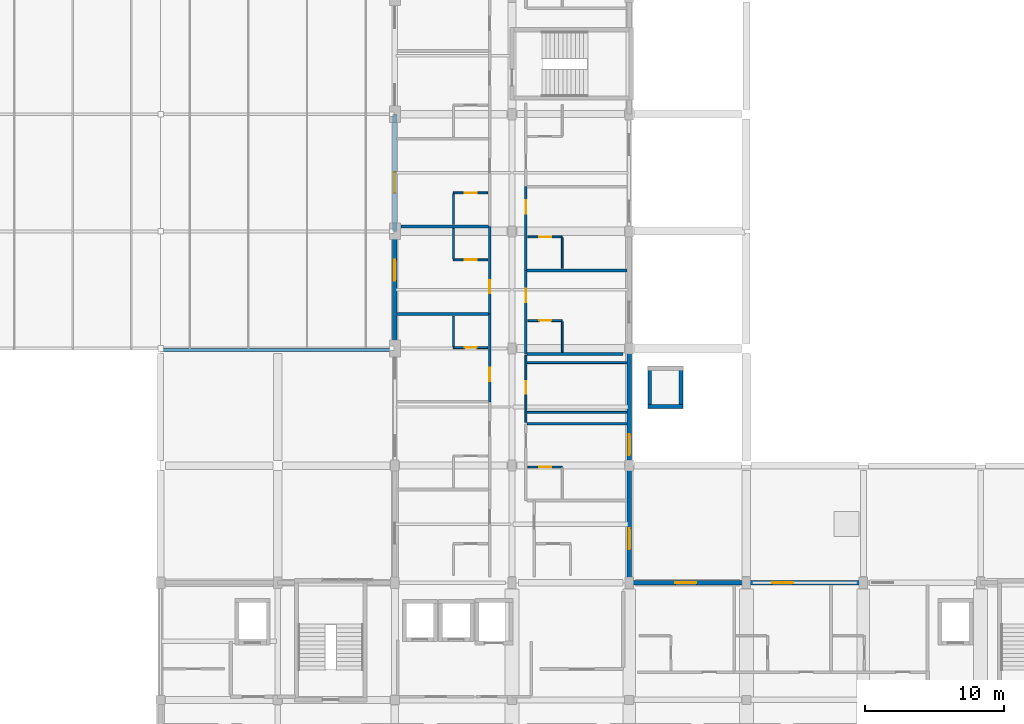
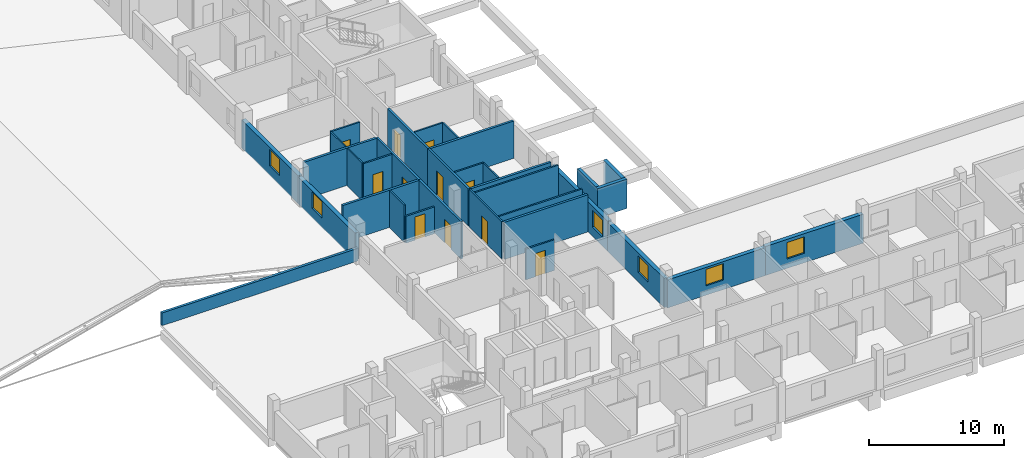
# One storey, part 30 of 42: 33 walls, 11 doors, 6 windows, 17 openings.
"""IFC4 building model written with IfcOpenShell, lengths in metres."""

from ifc_helpers import new_model, si_unit, derived_unit, direction, frame, frame_2d, origin, place, context, subcontext, project, spatial, rectangle, extrude, material, layer, layer_set, type_object, element, fill, save


model = new_model("IFC4")

# Units and contexts
model_context = context("Model", 3, precision=1e-05, world=origin(), true_north=direction((0.0, 1.0)))
body_context = subcontext(model_context, "Body", "Model", "MODEL_VIEW")
ifc_project = project(units=[si_unit("LENGTHUNIT", "METRE"), si_unit("AREAUNIT", "SQUARE_METRE"), si_unit("VOLUMEUNIT", "CUBIC_METRE"), si_unit("PLANEANGLEUNIT", "RADIAN"), si_unit("MASSUNIT", "GRAM", prefix="KILO"), derived_unit("THERMALTRANSMITTANCEUNIT", [(si_unit("POWERUNIT", "WATT"), 1), (si_unit("LENGTHUNIT", "METRE"), -2), (si_unit("THERMODYNAMICTEMPERATUREUNIT", "KELVIN"), -1)])], contexts=[model_context])

# Site, building, storey
site_placement = place(None, origin())
site = spatial("IfcSite", under=ifc_project, at=site_placement, CompositionType="ELEMENT")
building_placement = place(site_placement, origin())
building = spatial("IfcBuilding", under=site, at=building_placement, Name="Barrovel Congress Hotel", CompositionType="ELEMENT")
storey_placement = place(building_placement, frame((0.0, 0.0, 18.300048828125)))
storey = spatial("IfcBuildingStorey", under=building, at=storey_placement, Name="L04", CompositionType="ELEMENT", Elevation=18.300048828125)

# Wall, opening, window
ifc_material_1 = material(Name="Fired Clay Brick Masonry", Category="masonry")
ifc_layer_1 = layer(ifc_material_1, 0.340087890625)
ifc_layer_set_1 = layer_set([ifc_layer_1], Name="Fired Clay Brick Masonry")
wall_type_1 = type_object("IfcWallType", Name="EW-BRK340", PredefinedType="STANDARD", material=ifc_layer_set_1)
wall_1_placement = place(storey_placement, frame((67.199951171875, 21.0, 0.0), z_axis=(0.0, 0.0, 1.0), x_axis=(-1.0, 0.0, 0.0)))
wall_1 = element("IfcWall", 1, at=wall_1_placement, inside=storey, type_object=wall_type_1, Name="EW:L04:HS-NE-4:P03", PredefinedType="STANDARD", context=body_context, shape_type="SweptSolid", body=[
    extrude(rectangle(XDim=8.39990234375, YDim=0.340087890625, at=frame_2d((4.199951171875, 0.0))), origin(), (0.0, 0.0, 1.0), 2.6298828125),
])
opening_1_placement = place(wall_1_placement, frame((5.050048828125, 0.0, 0.85009765625)))
opening_1 = element("IfcOpeningElement", 2, at=opening_1_placement, cuts=wall_1, Name="Opening WN-07", PredefinedType="OPENING", context=body_context, shape_type="SweptSolid", body=[
    extrude(rectangle(XDim=1.5, YDim=1.5, at=frame_2d((0.75, 0.75))), frame((0.0, 0.18017578125, 0.0), z_axis=(0.0, -1.0, 0.0), x_axis=(1.0, 0.0, 0.0)), (0.0, 0.0, 1.0), 0.360107421875),
])
ifc_material_2 = material(Name="Double Low-E Insulated Glazing", Category="glass")
window_type = type_object("IfcWindowType", Name="WIN-WN-07", PartitioningType="SINGLE_PANEL", PredefinedType="WINDOW", material=ifc_material_2)
window_1_placement = place(opening_1_placement, origin())
window_1 = element("IfcWindow", 3, at=window_1_placement, inside=storey, type_object=window_type, Name="WIN:L04:U22", OverallHeight=1.5, OverallWidth=1.5, PartitioningType="SINGLE_PANEL", PredefinedType="WINDOW", context=body_context, shape_type="SweptSolid", body=[
    extrude(rectangle(XDim=1.5, YDim=1.5, at=frame_2d((0.75, 0.75))), frame((0.0, 0.030029296875, 0.0), z_axis=(0.0, -1.0, 0.0), x_axis=(1.0, 0.0, 0.0)), (0.0, 0.0, 1.0), 0.06005859375),
])
fill(opening_1, window_1)

wall_2_placement = place(storey_placement, frame((58.800048828125, 21.0, 0.0), z_axis=(0.0, 0.0, 1.0), x_axis=(-1.0, 0.0, 0.0)))
wall_2 = element("IfcWall", 4, at=wall_2_placement, inside=storey, type_object=wall_type_1, Name="EW:L04:HS-NE-4:P04", PredefinedType="STANDARD", context=body_context, shape_type="SweptSolid", body=[
    extrude(rectangle(XDim=8.400146484375, YDim=0.340087890625, at=frame_2d((4.2001953125, 0.0))), origin(), (0.0, 0.0, 1.0), 2.530029296875),
])
opening_2_placement = place(wall_2_placement, frame((3.583251953125, 0.0, 0.85009765625)))
opening_2 = element("IfcOpeningElement", 5, at=opening_2_placement, cuts=wall_2, Name="Opening WN-07", PredefinedType="OPENING", context=body_context, shape_type="SweptSolid", body=[
    extrude(rectangle(XDim=1.5, YDim=1.5, at=frame_2d((0.75, 0.75))), frame((0.0, 0.18017578125, 0.0), z_axis=(0.0, -1.0, 0.0), x_axis=(1.0, 0.0, 0.0)), (0.0, 0.0, 1.0), 0.360107421875),
])
window_2_placement = place(opening_2_placement, origin())
window_2 = element("IfcWindow", 6, at=window_2_placement, inside=storey, type_object=window_type, Name="WIN:L04:U21", OverallHeight=1.5, OverallWidth=1.5, PartitioningType="SINGLE_PANEL", PredefinedType="WINDOW", context=body_context, shape_type="SweptSolid", body=[
    extrude(rectangle(XDim=1.5, YDim=1.5, at=frame_2d((0.75, 0.75))), frame((0.0, 0.030029296875, 0.0), z_axis=(0.0, -1.0, 0.0), x_axis=(1.0, 0.0, 0.0)), (0.0, 0.0, 1.0), 0.06005859375),
])
fill(opening_2, window_2)

wall_3_placement = place(storey_placement, frame((50.39990234375, 21.0, 0.0), z_axis=(0.0, 0.0, 1.0), x_axis=(0.0, 1.0, 0.0)))
wall_3 = element("IfcWall", 7, at=wall_3_placement, inside=storey, type_object=wall_type_1, Name="EW:L04:HW-E-1:P01", PredefinedType="STANDARD", context=body_context, shape_type="SweptSolid", body=[
    extrude(rectangle(XDim=8.39990234375, YDim=0.340087890625, at=frame_2d((4.199951171875, 0.0))), origin(), (0.0, 0.0, 1.0), 2.6298828125),
])
opening_3_placement = place(wall_3_placement, frame((2.39990234375, 0.0, 0.85009765625)))
opening_3 = element("IfcOpeningElement", 8, at=opening_3_placement, cuts=wall_3, Name="Opening WN-07", PredefinedType="OPENING", context=body_context, shape_type="SweptSolid", body=[
    extrude(rectangle(XDim=1.5, YDim=1.5, at=frame_2d((0.75, 0.75))), frame((0.0, 0.18017578125, 0.0), z_axis=(0.0, -1.0, 0.0), x_axis=(1.0, 0.0, 0.0)), (0.0, 0.0, 1.0), 0.360107421875),
])
window_3_placement = place(opening_3_placement, origin())
window_3 = element("IfcWindow", 9, at=window_3_placement, inside=storey, type_object=window_type, Name="WIN:L04:U42", OverallHeight=1.5, OverallWidth=1.5, PartitioningType="SINGLE_PANEL", PredefinedType="WINDOW", context=body_context, shape_type="SweptSolid", body=[
    extrude(rectangle(XDim=1.5, YDim=1.5, at=frame_2d((0.75, 0.75))), frame((0.0, 0.030029296875, 0.0), z_axis=(0.0, -1.0, 0.0), x_axis=(1.0, 0.0, 0.0)), (0.0, 0.0, 1.0), 0.06005859375),
])
fill(opening_3, window_3)

wall_4_placement = place(storey_placement, frame((50.39990234375, 29.39990234375, 0.0), z_axis=(0.0, 0.0, 1.0), x_axis=(0.0, 1.0, 0.0)))
wall_4 = element("IfcWall", 10, at=wall_4_placement, inside=storey, type_object=wall_type_1, Name="EW:L04:HW-E-1:P02", PredefinedType="STANDARD", context=body_context, shape_type="SweptSolid", body=[
    extrude(rectangle(XDim=8.400146484375, YDim=0.340087890625, at=frame_2d((4.2001953125, 0.0))), origin(), (0.0, 0.0, 1.0), 2.72998046875),
])
opening_4_placement = place(wall_4_placement, frame((0.75, 0.0, 0.85009765625)))
opening_4 = element("IfcOpeningElement", 11, at=opening_4_placement, cuts=wall_4, Name="Opening WN-07", PredefinedType="OPENING", context=body_context, shape_type="SweptSolid", body=[
    extrude(rectangle(XDim=1.5, YDim=1.5, at=frame_2d((0.75, 0.75))), frame((0.0, 0.18017578125, 0.0), z_axis=(0.0, -1.0, 0.0), x_axis=(1.0, 0.0, 0.0)), (0.0, 0.0, 1.0), 0.360107421875),
])
window_4_placement = place(opening_4_placement, origin())
window_4 = element("IfcWindow", 12, at=window_4_placement, inside=storey, type_object=window_type, Name="WIN:L04:U43", OverallHeight=1.5, OverallWidth=1.5, PartitioningType="SINGLE_PANEL", PredefinedType="WINDOW", context=body_context, shape_type="SweptSolid", body=[
    extrude(rectangle(XDim=1.5, YDim=1.5, at=frame_2d((0.75, 0.75))), frame((0.0, 0.030029296875, 0.0), z_axis=(0.0, -1.0, 0.0), x_axis=(1.0, 0.0, 0.0)), (0.0, 0.0, 1.0), 0.06005859375),
])
fill(opening_4, window_4)

wall_5_placement = place(storey_placement, frame((33.60009765625, 54.60009765625, 0.0), z_axis=(0.0, 0.0, 1.0), x_axis=(0.0, -1.0, 0.0)))
wall_5 = element("IfcWall", 13, at=wall_5_placement, inside=storey, type_object=wall_type_1, Name="EW:L04:HW-W:P03", PredefinedType="STANDARD", context=body_context, shape_type="SweptSolid", body=[
    extrude(rectangle(XDim=8.400146484375, YDim=0.340087890625, at=frame_2d((4.2001953125, 0.0))), origin(), (0.0, 0.0, 1.0), 2.530029296875),
])
opening_5_placement = place(wall_5_placement, frame((4.14990234375, 0.0, 0.85009765625)))
opening_5 = element("IfcOpeningElement", 14, at=opening_5_placement, cuts=wall_5, Name="Opening WN-07", PredefinedType="OPENING", context=body_context, shape_type="SweptSolid", body=[
    extrude(rectangle(XDim=1.5, YDim=1.5, at=frame_2d((0.75, 0.75))), frame((0.0, 0.18017578125, 0.0), z_axis=(0.0, -1.0, 0.0), x_axis=(1.0, 0.0, 0.0)), (0.0, 0.0, 1.0), 0.360107421875),
])
window_5_placement = place(opening_5_placement, origin())
window_5 = element("IfcWindow", 15, at=window_5_placement, inside=storey, type_object=window_type, Name="WIN:L04:U37", OverallHeight=1.5, OverallWidth=1.5, PartitioningType="SINGLE_PANEL", PredefinedType="WINDOW", context=body_context, shape_type="SweptSolid", body=[
    extrude(rectangle(XDim=1.5, YDim=1.5, at=frame_2d((0.75, 0.75))), frame((0.0, 0.030029296875, 0.0), z_axis=(0.0, -1.0, 0.0), x_axis=(1.0, 0.0, 0.0)), (0.0, 0.0, 1.0), 0.06005859375),
])
fill(opening_5, window_5)

wall_6_placement = place(storey_placement, frame((33.60009765625, 46.199951171875, 0.0), z_axis=(0.0, 0.0, 1.0), x_axis=(0.0, -1.0, 0.0)))
wall_6 = element("IfcWall", 16, at=wall_6_placement, inside=storey, type_object=wall_type_1, Name="EW:L04:HW-W:P04", PredefinedType="STANDARD", context=body_context, shape_type="SweptSolid", body=[
    extrude(rectangle(XDim=8.39990234375, YDim=0.340087890625, at=frame_2d((4.199951171875, 0.0))), origin(), (0.0, 0.0, 1.0), 2.429931640625),
])
opening_6_placement = place(wall_6_placement, frame((2.038818359375, 0.0, 0.85009765625)))
opening_6 = element("IfcOpeningElement", 17, at=opening_6_placement, cuts=wall_6, Name="Opening WN-07", PredefinedType="OPENING", context=body_context, shape_type="SweptSolid", body=[
    extrude(rectangle(XDim=1.5, YDim=1.5, at=frame_2d((0.75, 0.75))), frame((0.0, 0.18017578125, 0.0), z_axis=(0.0, -1.0, 0.0), x_axis=(1.0, 0.0, 0.0)), (0.0, 0.0, 1.0), 0.360107421875),
])
window_6_placement = place(opening_6_placement, origin())
window_6 = element("IfcWindow", 18, at=window_6_placement, inside=storey, type_object=window_type, Name="WIN:L04:U36", OverallHeight=1.5, OverallWidth=1.5, PartitioningType="SINGLE_PANEL", PredefinedType="WINDOW", context=body_context, shape_type="SweptSolid", body=[
    extrude(rectangle(XDim=1.5, YDim=1.5, at=frame_2d((0.75, 0.75))), frame((0.0, 0.030029296875, 0.0), z_axis=(0.0, -1.0, 0.0), x_axis=(1.0, 0.0, 0.0)), (0.0, 0.0, 1.0), 0.06005859375),
])
fill(opening_6, window_6)

# Wall
ifc_layer_2 = layer(ifc_material_1, 0.219970703125)
ifc_layer_set_2 = layer_set([ifc_layer_2], Name="Fired Clay Brick Masonry")
wall_type_2 = type_object("IfcWallType", Name="EW-PAR220", PredefinedType="PARAPET", material=ifc_layer_set_2)
wall_7_placement = place(storey_placement, frame((16.800048828125, 37.699951171875, 0.0), z_axis=(0.0, 0.0, 1.0), x_axis=(1.0, 0.0, 0.0)))
element("IfcWall", 19, at=wall_7_placement, inside=storey, type_object=wall_type_2, Name="PAR:L04:05", PredefinedType="PARAPET", context=body_context, shape_type="SweptSolid", body=[
    extrude(rectangle(XDim=16.800048828125, YDim=0.219970703125, at=frame_2d((8.39990234375, 0.0))), origin(), (0.0, 0.0, 1.0), 1.14990234375),
])

# Wall, opening, door
ifc_material_3 = material(Name="Gypsum Acoustic Stud", Category="gypsum")
ifc_layer_3 = layer(ifc_material_3, 0.179931640625)
ifc_layer_set_3 = layer_set([ifc_layer_3], Name="Gypsum Acoustic Stud")
wall_type_3 = type_object("IfcWallType", Name="PW-ACU-180", PredefinedType="PARTITIONING", material=ifc_layer_set_3)
wall_8_placement = place(storey_placement, frame((40.39990234375, 33.977783203125, 0.0), z_axis=(0.0, 0.0, 1.0), x_axis=(0.0, 1.0, 0.0)))
wall_8 = element("IfcWall", 20, at=wall_8_placement, inside=storey, type_object=wall_type_3, Name="PW:L04:U35:COR", PredefinedType="PARTITIONING", context=body_context, shape_type="SweptSolid", body=[
    extrude(rectangle(XDim=6.288818359375, YDim=0.179931640625, at=frame_2d((3.14453125, 0.0))), origin(), (0.0, 0.0, 1.0), 3.375),
])
opening_7_placement = place(wall_8_placement, frame((1.4794921875, 0.0, 0.0)))
opening_7 = element("IfcOpeningElement", 21, at=opening_7_placement, cuts=wall_8, Name="Opening ID-HTL", PredefinedType="OPENING", context=body_context, shape_type="SweptSolid", body=[
    extrude(rectangle(XDim=0.9599609375, YDim=2.14990234375, at=frame_2d((0.47998046875, 1.074951171875))), frame((0.0, 0.10009765625, 0.0), z_axis=(0.0, -1.0, 0.0), x_axis=(1.0, 0.0, 0.0)), (0.0, 0.0, 1.0), 0.199951171875),
])
ifc_material_4 = material(Name="Solid Oak Acoustic Timber Door", Category="wood")
door_type_1 = type_object("IfcDoorType", Name="IDR-ID-HTL", OperationType="NOTDEFINED", PredefinedType="DOOR", material=ifc_material_4)
door_1_placement = place(opening_7_placement, origin())
door_1 = element("IfcDoor", 22, at=door_1_placement, inside=storey, type_object=door_type_1, Name="DR:L04:U35:ENT", OperationType="SINGLE_SWING_RIGHT", OverallHeight=2.14990234375, OverallWidth=0.9599609375, PredefinedType="DOOR", context=body_context, shape_type="SweptSolid", body=[
    extrude(rectangle(XDim=0.9599609375, YDim=2.14990234375, at=frame_2d((0.47998046875, 1.074951171875))), frame((0.0, 0.02490234375, 0.0), z_axis=(0.0, -1.0, 0.0), x_axis=(1.0, 0.0, 0.0)), (0.0, 0.0, 1.0), 0.050048828125),
])
fill(opening_7, door_1)

wall_9_placement = place(storey_placement, frame((40.39990234375, 40.2666015625, 0.0), z_axis=(0.0, 0.0, 1.0), x_axis=(0.0, 1.0, 0.0)))
wall_9 = element("IfcWall", 23, at=wall_9_placement, inside=storey, type_object=wall_type_3, Name="PW:L04:U36:COR", PredefinedType="PARTITIONING", context=body_context, shape_type="SweptSolid", body=[
    extrude(rectangle(XDim=6.2890625, YDim=0.179931640625, at=frame_2d((3.14453125, 0.0))), origin(), (0.0, 0.0, 1.0), 3.375),
])
opening_8_placement = place(wall_9_placement, frame((1.4794921875, 0.0, 0.0)))
opening_8 = element("IfcOpeningElement", 24, at=opening_8_placement, cuts=wall_9, Name="Opening ID-HTL", PredefinedType="OPENING", context=body_context, shape_type="SweptSolid", body=[
    extrude(rectangle(XDim=0.9599609375, YDim=2.14990234375, at=frame_2d((0.47998046875, 1.074951171875))), frame((0.0, 0.10009765625, 0.0), z_axis=(0.0, -1.0, 0.0), x_axis=(1.0, 0.0, 0.0)), (0.0, 0.0, 1.0), 0.199951171875),
])
door_2_placement = place(opening_8_placement, origin())
door_2 = element("IfcDoor", 25, at=door_2_placement, inside=storey, type_object=door_type_1, Name="DR:L04:U36:ENT", OperationType="SINGLE_SWING_RIGHT", OverallHeight=2.14990234375, OverallWidth=0.9599609375, PredefinedType="DOOR", context=body_context, shape_type="SweptSolid", body=[
    extrude(rectangle(XDim=0.9599609375, YDim=2.14990234375, at=frame_2d((0.47998046875, 1.074951171875))), frame((0.0, 0.02490234375, 0.0), z_axis=(0.0, -1.0, 0.0), x_axis=(1.0, 0.0, 0.0)), (0.0, 0.0, 1.0), 0.050048828125),
])
fill(opening_8, door_2)

wall_10_placement = place(storey_placement, frame((43.0, 37.39990234375, 0.0), z_axis=(0.0, 0.0, 1.0), x_axis=(0.0, 1.0, 0.0)))
wall_10 = element("IfcWall", 26, at=wall_10_placement, inside=storey, type_object=wall_type_3, Name="PW:L04:U44:COR", PredefinedType="PARTITIONING", context=body_context, shape_type="SweptSolid", body=[
    extrude(rectangle(XDim=6.0, YDim=0.179931640625, at=frame_2d((3.0, 0.0))), origin(), (0.0, 0.0, 1.0), 3.375),
])
opening_9_placement = place(wall_10_placement, frame((3.705078125, 0.0, 0.0)))
opening_9 = element("IfcOpeningElement", 27, at=opening_9_placement, cuts=wall_10, Name="Opening ID-HTL", PredefinedType="OPENING", context=body_context, shape_type="SweptSolid", body=[
    extrude(rectangle(XDim=0.9599609375, YDim=2.14990234375, at=frame_2d((0.47998046875, 1.074951171875))), frame((0.0, 0.10009765625, 0.0), z_axis=(0.0, -1.0, 0.0), x_axis=(1.0, 0.0, 0.0)), (0.0, 0.0, 1.0), 0.199951171875),
])
door_3_placement = place(opening_9_placement, origin())
door_3 = element("IfcDoor", 28, at=door_3_placement, inside=storey, type_object=door_type_1, Name="DR:L04:U44:ENT", OperationType="SINGLE_SWING_RIGHT", OverallHeight=2.14990234375, OverallWidth=0.9599609375, PredefinedType="DOOR", context=body_context, shape_type="SweptSolid", body=[
    extrude(rectangle(XDim=0.9599609375, YDim=2.14990234375, at=frame_2d((0.47998046875, 1.074951171875))), frame((0.0, 0.02490234375, 0.0), z_axis=(0.0, -1.0, 0.0), x_axis=(1.0, 0.0, 0.0)), (0.0, 0.0, 1.0), 0.050048828125),
])
fill(opening_9, door_3)

wall_11_placement = place(storey_placement, frame((43.0, 43.39990234375, 0.0), z_axis=(0.0, 0.0, 1.0), x_axis=(0.0, 1.0, 0.0)))
wall_11 = element("IfcWall", 29, at=wall_11_placement, inside=storey, type_object=wall_type_3, Name="PW:L04:U45:COR", PredefinedType="PARTITIONING", context=body_context, shape_type="SweptSolid", body=[
    extrude(rectangle(XDim=6.0, YDim=0.179931640625, at=frame_2d((3.0, 0.0))), origin(), (0.0, 0.0, 1.0), 3.375),
])
opening_10_placement = place(wall_11_placement, frame((4.054931640625, 0.0, 0.0)))
opening_10 = element("IfcOpeningElement", 30, at=opening_10_placement, cuts=wall_11, Name="Opening ID-HTL", PredefinedType="OPENING", context=body_context, shape_type="SweptSolid", body=[
    extrude(rectangle(XDim=0.9599609375, YDim=2.14990234375, at=frame_2d((0.47998046875, 1.074951171875))), frame((0.0, 0.10009765625, 0.0), z_axis=(0.0, -1.0, 0.0), x_axis=(1.0, 0.0, 0.0)), (0.0, 0.0, 1.0), 0.199951171875),
])
door_4_placement = place(opening_10_placement, origin())
door_4 = element("IfcDoor", 31, at=door_4_placement, inside=storey, type_object=door_type_1, Name="DR:L04:U45:ENT", OperationType="SINGLE_SWING_RIGHT", OverallHeight=2.14990234375, OverallWidth=0.9599609375, PredefinedType="DOOR", context=body_context, shape_type="SweptSolid", body=[
    extrude(rectangle(XDim=0.9599609375, YDim=2.14990234375, at=frame_2d((0.47998046875, 1.074951171875))), frame((0.0, 0.02490234375, 0.0), z_axis=(0.0, -1.0, 0.0), x_axis=(1.0, 0.0, 0.0)), (0.0, 0.0, 1.0), 0.050048828125),
])
fill(opening_10, door_4)

# Walls
ifc_layer_4 = layer(ifc_material_3, 0.1201171875)
ifc_layer_set_4 = layer_set([ifc_layer_4], Name="Gypsum Acoustic Stud")
wall_type_4 = type_object("IfcWallType", Name="PW-INT-120", PredefinedType="PARTITIONING", material=ifc_layer_set_4)
for number, where, z_axis, x_axis, name in (
    (32, (37.800048828125, 37.936767578125, 0.0), (0.0, 0.0, 1.0), (0.0, 1.0, 0.0), "PW:L04:U35:B2"),
    (33, (37.800048828125, 44.2255859375, 0.0), (0.0, 0.0, 1.0), (0.0, 1.0, 0.0), "PW:L04:U36:B2"),
    (34, (37.800048828125, 46.695556640625, 0.0), (0.0, 0.0, 1.0), (0.0, 1.0, 0.0), "PW:L04:U37:B2"),
    (35, (45.60009765625, 37.5400390625, 0.0), (0.0, 0.0, 1.0), (0.0, 1.0, 0.0), "PW:L04:U44:B2"),
    (36, (45.60009765625, 43.5400390625, 0.0), (0.0, 0.0, 1.0), (0.0, 1.0, 0.0), "PW:L04:U45:B2"),
):
    element("IfcWall", number, at=place(storey_placement, frame(where, z_axis=z_axis, x_axis=x_axis)), inside=storey, type_object=wall_type_4, Name=name, PredefinedType="PARTITIONING", context=body_context, shape_type="SweptSolid", body=[
        extrude(rectangle(XDim=2.18994140625, YDim=0.1201171875, at=frame_2d((1.094970703125, 0.0))), origin(), (0.0, 0.0, 1.0), 3.375),
    ])
ifc_layer_5 = layer(ifc_material_1, 0.199951171875)
ifc_layer_set_5 = layer_set([ifc_layer_5], Name="Fired Clay Brick Masonry")
wall_type_5 = type_object("IfcWallType", Name="PW-MAS-200", PredefinedType="PARTITIONING", material=ifc_layer_set_5)
wall_12_placement = place(storey_placement, frame((33.77001953125, 40.2666015625, 0.0), z_axis=(0.0, 0.0, 1.0), x_axis=(1.0, 0.0, 0.0)))
element("IfcWall", 37, at=wall_12_placement, inside=storey, type_object=wall_type_5, Name="PW:L04:U35:DEM", PredefinedType="PARTITIONING", context=body_context, shape_type="SweptSolid", body=[
    extrude(rectangle(XDim=6.5400390625, YDim=0.199951171875, at=frame_2d((3.27001953125, 0.0))), origin(), (0.0, 0.0, 1.0), 3.375),
])
wall_13_placement = place(storey_placement, frame((34.050048828125, 46.5556640625, 0.0), z_axis=(0.0, 0.0, 1.0), x_axis=(1.0, 0.0, 0.0)))
element("IfcWall", 38, at=wall_13_placement, inside=storey, type_object=wall_type_5, Name="PW:L04:U36:DEM", PredefinedType="PARTITIONING", context=body_context, shape_type="SweptSolid", body=[
    extrude(rectangle(XDim=6.260009765625, YDim=0.199951171875, at=frame_2d((3.1298828125, 0.0))), origin(), (0.0, 0.0, 1.0), 3.375),
])
wall_14_placement = place(storey_placement, frame((43.090087890625, 32.39990234375, 0.0), z_axis=(0.0, 0.0, 1.0), x_axis=(1.0, 0.0, 0.0)))
element("IfcWall", 39, at=wall_14_placement, inside=storey, type_object=wall_type_5, Name="PW:L04:U43:DEM", PredefinedType="PARTITIONING", context=body_context, shape_type="SweptSolid", body=[
    extrude(rectangle(XDim=7.139892578125, YDim=0.199951171875, at=frame_2d((3.56982421875, 0.0))), origin(), (0.0, 0.0, 1.0), 3.375),
])
wall_15_placement = place(storey_placement, frame((43.090087890625, 37.39990234375, 0.0), z_axis=(0.0, 0.0, 1.0), x_axis=(1.0, 0.0, 0.0)))
element("IfcWall", 40, at=wall_15_placement, inside=storey, type_object=wall_type_5, Name="PW:L04:U44:DEM0", PredefinedType="PARTITIONING", context=body_context, shape_type="SweptSolid", body=[
    extrude(rectangle(XDim=6.85986328125, YDim=0.199951171875, at=frame_2d((3.429931640625, 0.0))), origin(), (0.0, 0.0, 1.0), 3.375),
])
wall_16_placement = place(storey_placement, frame((43.090087890625, 43.39990234375, 0.0), z_axis=(0.0, 0.0, 1.0), x_axis=(1.0, 0.0, 0.0)))
element("IfcWall", 41, at=wall_16_placement, inside=storey, type_object=wall_type_5, Name="PW:L04:U44:DEM", PredefinedType="PARTITIONING", context=body_context, shape_type="SweptSolid", body=[
    extrude(rectangle(XDim=7.139892578125, YDim=0.199951171875, at=frame_2d((3.56982421875, 0.0))), origin(), (0.0, 0.0, 1.0), 3.375),
])

# Wall, opening, door
ifc_material_5 = material(Name="Gypsum Moisture Board", Category="gypsum")
ifc_layer_6 = layer(ifc_material_5, 0.139892578125)
ifc_layer_set_6 = layer_set([ifc_layer_6], Name="Gypsum Moisture Board")
wall_type_6 = type_object("IfcWallType", Name="PW-WET-140", PredefinedType="PARTITIONING", material=ifc_layer_set_6)
wall_17_placement = place(storey_placement, frame((37.800048828125, 37.86669921875, 0.0), z_axis=(0.0, 0.0, 1.0), x_axis=(1.0, 0.0, 0.0)))
wall_17 = element("IfcWall", 42, at=wall_17_placement, inside=storey, type_object=wall_type_6, Name="PW:L04:U35:B1", PredefinedType="PARTITIONING", context=body_context, shape_type="SweptSolid", body=[
    extrude(rectangle(XDim=2.4599609375, YDim=0.139892578125, at=frame_2d((1.22998046875, 0.0))), origin(), (0.0, 0.0, 1.0), 2.429931640625),
])
opening_11_placement = place(wall_17_placement, frame((0.800048828125, 0.0, 0.0)))
opening_11 = element("IfcOpeningElement", 43, at=opening_11_placement, cuts=wall_17, Name="Opening ID-ENS", PredefinedType="OPENING", context=body_context, shape_type="SweptSolid", body=[
    extrude(rectangle(XDim=0.860107421875, YDim=2.10009765625, at=frame_2d((0.43017578125, 1.050048828125))), frame((0.0, 0.080078125, 0.0), z_axis=(0.0, -1.0, 0.0), x_axis=(1.0, 0.0, 0.0)), (0.0, 0.0, 1.0), 0.159912109375),
])
ifc_material_6 = material(Name="Lacquered Timber Moisture Door", Category="wood")
door_type_2 = type_object("IfcDoorType", Name="IDR-ID-ENS", OperationType="NOTDEFINED", PredefinedType="DOOR", material=ifc_material_6)
door_5_placement = place(opening_11_placement, origin())
door_5 = element("IfcDoor", 44, at=door_5_placement, inside=storey, type_object=door_type_2, Name="DR:L04:U35:ENS", OperationType="SINGLE_SWING_LEFT", OverallHeight=2.10009765625, OverallWidth=0.860107421875, PredefinedType="DOOR", context=body_context, shape_type="SweptSolid", body=[
    extrude(rectangle(XDim=0.860107421875, YDim=2.10009765625, at=frame_2d((0.43017578125, 1.050048828125))), frame((0.0, 0.02490234375, 0.0), z_axis=(0.0, -1.0, 0.0), x_axis=(1.0, 0.0, 0.0)), (0.0, 0.0, 1.0), 0.050048828125),
])
fill(opening_11, door_5)

wall_18_placement = place(storey_placement, frame((37.800048828125, 44.155517578125, 0.0), z_axis=(0.0, 0.0, 1.0), x_axis=(1.0, 0.0, 0.0)))
wall_18 = element("IfcWall", 45, at=wall_18_placement, inside=storey, type_object=wall_type_6, Name="PW:L04:U36:B1", PredefinedType="PARTITIONING", context=body_context, shape_type="SweptSolid", body=[
    extrude(rectangle(XDim=2.4599609375, YDim=0.139892578125, at=frame_2d((1.22998046875, 0.0))), origin(), (0.0, 0.0, 1.0), 3.375),
])
opening_12_placement = place(wall_18_placement, frame((0.800048828125, 0.0, 0.0)))
opening_12 = element("IfcOpeningElement", 46, at=opening_12_placement, cuts=wall_18, Name="Opening ID-ENS", PredefinedType="OPENING", context=body_context, shape_type="SweptSolid", body=[
    extrude(rectangle(XDim=0.860107421875, YDim=2.10009765625, at=frame_2d((0.43017578125, 1.050048828125))), frame((0.0, 0.080078125, 0.0), z_axis=(0.0, -1.0, 0.0), x_axis=(1.0, 0.0, 0.0)), (0.0, 0.0, 1.0), 0.159912109375),
])
door_6_placement = place(opening_12_placement, origin())
door_6 = element("IfcDoor", 47, at=door_6_placement, inside=storey, type_object=door_type_2, Name="DR:L04:U36:ENS", OperationType="SINGLE_SWING_LEFT", OverallHeight=2.10009765625, OverallWidth=0.860107421875, PredefinedType="DOOR", context=body_context, shape_type="SweptSolid", body=[
    extrude(rectangle(XDim=0.860107421875, YDim=2.10009765625, at=frame_2d((0.43017578125, 1.050048828125))), frame((0.0, 0.02490234375, 0.0), z_axis=(0.0, -1.0, 0.0), x_axis=(1.0, 0.0, 0.0)), (0.0, 0.0, 1.0), 0.050048828125),
])
fill(opening_12, door_6)

wall_19_placement = place(storey_placement, frame((37.800048828125, 48.95556640625, 0.0), z_axis=(0.0, 0.0, 1.0), x_axis=(1.0, 0.0, 0.0)))
wall_19 = element("IfcWall", 48, at=wall_19_placement, inside=storey, type_object=wall_type_6, Name="PW:L04:U37:B1", PredefinedType="PARTITIONING", context=body_context, shape_type="SweptSolid", body=[
    extrude(rectangle(XDim=2.4599609375, YDim=0.139892578125, at=frame_2d((1.22998046875, 0.0))), origin(), (0.0, 0.0, 1.0), 3.375),
])
opening_13_placement = place(wall_19_placement, frame((0.800048828125, 0.0, 0.0)))
opening_13 = element("IfcOpeningElement", 49, at=opening_13_placement, cuts=wall_19, Name="Opening ID-ENS", PredefinedType="OPENING", context=body_context, shape_type="SweptSolid", body=[
    extrude(rectangle(XDim=0.860107421875, YDim=2.10009765625, at=frame_2d((0.43017578125, 1.050048828125))), frame((0.0, 0.080078125, 0.0), z_axis=(0.0, -1.0, 0.0), x_axis=(1.0, 0.0, 0.0)), (0.0, 0.0, 1.0), 0.159912109375),
])
door_7_placement = place(opening_13_placement, origin())
door_7 = element("IfcDoor", 50, at=door_7_placement, inside=storey, type_object=door_type_2, Name="DR:L04:U37:ENS", OperationType="SINGLE_SWING_LEFT", OverallHeight=2.10009765625, OverallWidth=0.860107421875, PredefinedType="DOOR", context=body_context, shape_type="SweptSolid", body=[
    extrude(rectangle(XDim=0.860107421875, YDim=2.10009765625, at=frame_2d((0.43017578125, 1.050048828125))), frame((0.0, 0.02490234375, 0.0), z_axis=(0.0, -1.0, 0.0), x_axis=(1.0, 0.0, 0.0)), (0.0, 0.0, 1.0), 0.050048828125),
])
fill(opening_13, door_7)

wall_20_placement = place(storey_placement, frame((43.139892578125, 29.300048828125, 0.0), z_axis=(0.0, 0.0, 1.0), x_axis=(1.0, 0.0, 0.0)))
wall_20 = element("IfcWall", 51, at=wall_20_placement, inside=storey, type_object=wall_type_6, Name="PW:L04:U43:B1", PredefinedType="PARTITIONING", context=body_context, shape_type="SweptSolid", body=[
    extrude(rectangle(XDim=2.460205078125, YDim=0.139892578125, at=frame_2d((1.22998046875, 0.0))), origin(), (0.0, 0.0, 1.0), 2.780029296875),
])
opening_14_placement = place(wall_20_placement, frame((0.800048828125, 0.0, 0.0)))
opening_14 = element("IfcOpeningElement", 52, at=opening_14_placement, cuts=wall_20, Name="Opening ID-ENS", PredefinedType="OPENING", context=body_context, shape_type="SweptSolid", body=[
    extrude(rectangle(XDim=0.860107421875, YDim=2.10009765625, at=frame_2d((0.43017578125, 1.050048828125))), frame((0.0, 0.080078125, 0.0), z_axis=(0.0, -1.0, 0.0), x_axis=(1.0, 0.0, 0.0)), (0.0, 0.0, 1.0), 0.159912109375),
])
door_8_placement = place(opening_14_placement, origin())
door_8 = element("IfcDoor", 53, at=door_8_placement, inside=storey, type_object=door_type_2, Name="DR:L04:U43:ENS", OperationType="SINGLE_SWING_LEFT", OverallHeight=2.10009765625, OverallWidth=0.860107421875, PredefinedType="DOOR", context=body_context, shape_type="SweptSolid", body=[
    extrude(rectangle(XDim=0.860107421875, YDim=2.10009765625, at=frame_2d((0.43017578125, 1.050048828125))), frame((0.0, 0.02490234375, 0.0), z_axis=(0.0, -1.0, 0.0), x_axis=(1.0, 0.0, 0.0)), (0.0, 0.0, 1.0), 0.050048828125),
])
fill(opening_14, door_8)

wall_21_placement = place(storey_placement, frame((43.139892578125, 39.800048828125, 0.0), z_axis=(0.0, 0.0, 1.0), x_axis=(1.0, 0.0, 0.0)))
wall_21 = element("IfcWall", 54, at=wall_21_placement, inside=storey, type_object=wall_type_6, Name="PW:L04:U44:B1", PredefinedType="PARTITIONING", context=body_context, shape_type="SweptSolid", body=[
    extrude(rectangle(XDim=2.460205078125, YDim=0.139892578125, at=frame_2d((1.22998046875, 0.0))), origin(), (0.0, 0.0, 1.0), 3.375),
])
opening_15_placement = place(wall_21_placement, frame((0.800048828125, 0.0, 0.0)))
opening_15 = element("IfcOpeningElement", 55, at=opening_15_placement, cuts=wall_21, Name="Opening ID-ENS", PredefinedType="OPENING", context=body_context, shape_type="SweptSolid", body=[
    extrude(rectangle(XDim=0.860107421875, YDim=2.10009765625, at=frame_2d((0.43017578125, 1.050048828125))), frame((0.0, 0.080078125, 0.0), z_axis=(0.0, -1.0, 0.0), x_axis=(1.0, 0.0, 0.0)), (0.0, 0.0, 1.0), 0.159912109375),
])
door_9_placement = place(opening_15_placement, origin())
door_9 = element("IfcDoor", 56, at=door_9_placement, inside=storey, type_object=door_type_2, Name="DR:L04:U44:ENS", OperationType="SINGLE_SWING_LEFT", OverallHeight=2.10009765625, OverallWidth=0.860107421875, PredefinedType="DOOR", context=body_context, shape_type="SweptSolid", body=[
    extrude(rectangle(XDim=0.860107421875, YDim=2.10009765625, at=frame_2d((0.43017578125, 1.050048828125))), frame((0.0, 0.02490234375, 0.0), z_axis=(0.0, -1.0, 0.0), x_axis=(1.0, 0.0, 0.0)), (0.0, 0.0, 1.0), 0.050048828125),
])
fill(opening_15, door_9)

wall_22_placement = place(storey_placement, frame((43.139892578125, 45.800048828125, 0.0), z_axis=(0.0, 0.0, 1.0), x_axis=(1.0, 0.0, 0.0)))
wall_22 = element("IfcWall", 57, at=wall_22_placement, inside=storey, type_object=wall_type_6, Name="PW:L04:U45:B1", PredefinedType="PARTITIONING", context=body_context, shape_type="SweptSolid", body=[
    extrude(rectangle(XDim=2.460205078125, YDim=0.139892578125, at=frame_2d((1.22998046875, 0.0))), origin(), (0.0, 0.0, 1.0), 3.375),
])
opening_16_placement = place(wall_22_placement, frame((0.800048828125, 0.0, 0.0)))
opening_16 = element("IfcOpeningElement", 58, at=opening_16_placement, cuts=wall_22, Name="Opening ID-ENS", PredefinedType="OPENING", context=body_context, shape_type="SweptSolid", body=[
    extrude(rectangle(XDim=0.860107421875, YDim=2.10009765625, at=frame_2d((0.43017578125, 1.050048828125))), frame((0.0, 0.080078125, 0.0), z_axis=(0.0, -1.0, 0.0), x_axis=(1.0, 0.0, 0.0)), (0.0, 0.0, 1.0), 0.159912109375),
])
door_10_placement = place(opening_16_placement, origin())
door_10 = element("IfcDoor", 59, at=door_10_placement, inside=storey, type_object=door_type_2, Name="DR:L04:U45:ENS", OperationType="SINGLE_SWING_LEFT", OverallHeight=2.10009765625, OverallWidth=0.860107421875, PredefinedType="DOOR", context=body_context, shape_type="SweptSolid", body=[
    extrude(rectangle(XDim=0.860107421875, YDim=2.10009765625, at=frame_2d((0.43017578125, 1.050048828125))), frame((0.0, 0.02490234375, 0.0), z_axis=(0.0, -1.0, 0.0), x_axis=(1.0, 0.0, 0.0)), (0.0, 0.0, 1.0), 0.050048828125),
])
fill(opening_16, door_10)

wall_23_placement = place(storey_placement, frame((43.0, 32.5, 0.0), z_axis=(0.0, 0.0, 1.0), x_axis=(0.0, 1.0, 0.0)))
wall_23 = element("IfcWall", 60, at=wall_23_placement, inside=storey, type_object=wall_type_6, Name="RW:SP:L04:WC-A:W", PredefinedType="PARTITIONING", context=body_context, shape_type="SweptSolid", body=[
    extrude(rectangle(XDim=4.800048828125, YDim=0.139892578125, at=frame_2d((2.39990234375, 0.0))), origin(), (0.0, 0.0, 1.0), 3.375),
])
opening_17_placement = place(wall_23_placement, frame((2.050048828125, 0.0, 0.0)))
opening_17 = element("IfcOpeningElement", 61, at=opening_17_placement, cuts=wall_23, Name="Opening ID-WC1", PredefinedType="OPENING", context=body_context, shape_type="SweptSolid", body=[
    extrude(rectangle(XDim=0.89990234375, YDim=2.1201171875, at=frame_2d((0.449951171875, 1.06005859375))), frame((0.0, 0.080078125, 0.0), z_axis=(0.0, -1.0, 0.0), x_axis=(1.0, 0.0, 0.0)), (0.0, 0.0, 1.0), 0.159912109375),
])
door_type_3 = type_object("IfcDoorType", Name="IDR-ID-WC1", OperationType="NOTDEFINED", PredefinedType="DOOR", material=ifc_material_6)
door_11_placement = place(opening_17_placement, origin())
door_11 = element("IfcDoor", 62, at=door_11_placement, inside=storey, type_object=door_type_3, Name="RD:SP:L04:WC-A", OperationType="SINGLE_SWING_RIGHT", OverallHeight=2.1201171875, OverallWidth=0.89990234375, PredefinedType="DOOR", context=body_context, shape_type="SweptSolid", body=[
    extrude(rectangle(XDim=0.89990234375, YDim=2.1201171875, at=frame_2d((0.449951171875, 1.06005859375))), frame((0.0, 0.02490234375, 0.0), z_axis=(0.0, -1.0, 0.0), x_axis=(1.0, 0.0, 0.0)), (0.0, 0.0, 1.0), 0.050048828125),
])
fill(opening_17, door_11)

# Walls
for number, where, z_axis, x_axis, name in (
    (63, (43.070068359375, 33.219970703125, 0.0), (0.0, 0.0, 1.0), (1.0, 0.0, 0.0), "RW:SP:L04:WC-A:S"),
    (64, (43.070068359375, 36.780029296875, 0.0), (0.0, 0.0, 1.0), (1.0, 0.0, 0.0), "RW:SP:L04:WC-A:N"),
):
    element("IfcWall", number, at=place(storey_placement, frame(where, z_axis=z_axis, x_axis=x_axis)), inside=storey, type_object=wall_type_6, Name=name, PredefinedType="PARTITIONING", context=body_context, shape_type="SweptSolid", body=[
        extrude(rectangle(XDim=7.159912109375, YDim=0.139892578125, at=frame_2d((3.580078125, 0.0))), origin(), (0.0, 0.0, 1.0), 3.375),
    ])
ifc_material_7 = material(Name="Concrete C40", Category="concrete")
ifc_layer_7 = layer(ifc_material_7, 0.280029296875)
ifc_layer_set_7 = layer_set([ifc_layer_7], Name="Concrete C40")
wall_type_7 = type_object("IfcWallType", Name="SW-C40-280", PredefinedType="SHEAR", material=ifc_layer_set_7)
wall_24_placement = place(storey_placement, frame((51.739990234375, 33.6298828125, 0.0), z_axis=(0.0, 0.0, 1.0), x_axis=(1.0, 0.0, 0.0)))
element("IfcWall", 65, at=wall_24_placement, inside=storey, type_object=wall_type_7, Name="LSH:CL-1:OVR:S", PredefinedType="SHEAR", context=body_context, shape_type="SweptSolid", body=[
    extrude(rectangle(XDim=2.52001953125, YDim=0.280029296875, at=frame_2d((1.260009765625, 0.0))), origin(), (0.0, 0.0, 1.0), 2.64990234375),
])
for number, where, z_axis, x_axis, name in (
    (66, (54.1201171875, 33.489990234375, 0.0), (0.0, 0.0, 1.0), (0.0, 1.0, 0.0), "LSH:CL-1:OVR:E"),
    (67, (51.8798828125, 36.510009765625, 0.0), (0.0, 0.0, 1.0), (0.0, -1.0, 0.0), "LSH:CL-1:OVR:W"),
):
    element("IfcWall", number, at=place(storey_placement, frame(where, z_axis=z_axis, x_axis=x_axis)), inside=storey, type_object=wall_type_7, Name=name, PredefinedType="SHEAR", context=body_context, shape_type="SweptSolid", body=[
        extrude(rectangle(XDim=3.02001953125, YDim=0.280029296875, at=frame_2d((1.510009765625, 0.0))), origin(), (0.0, 0.0, 1.0), 2.64990234375),
    ])

save(model, "model.ifc")
